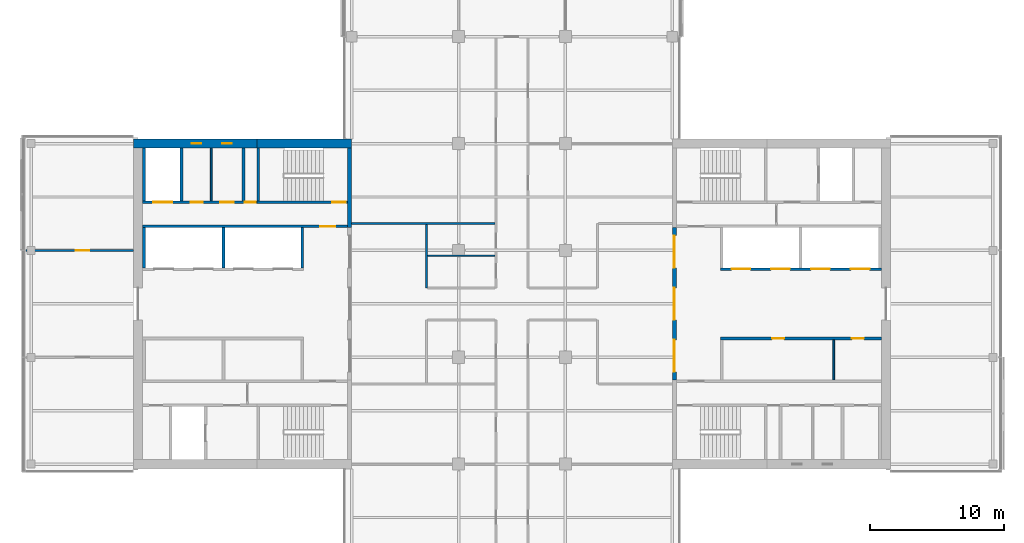
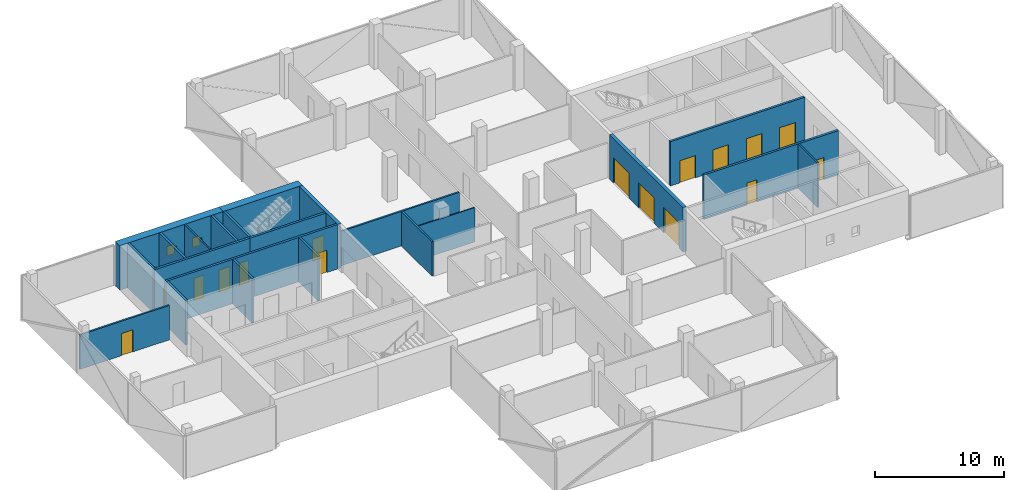
# One storey, part 15 of 22: 22 walls, 16 doors, 2 windows, 18 openings.
"""IFC4 building model written with IfcOpenShell, lengths in metres."""

from ifc_helpers import new_model, si_unit, direction, frame, frame_2d, origin, place, context, subcontext, project, spatial, rectangle, extrude, material, layer, layer_set, constituent, constituent_set, type_object, element, fill, save


model = new_model("IFC4")

# Units and contexts
model_context = context("Model", 3, precision=1e-05, world=origin(), true_north=direction((0.0, 1.0)))
body_context = subcontext(model_context, "Body", "Model", "MODEL_VIEW")
ifc_project = project(units=[si_unit("LENGTHUNIT", "METRE"), si_unit("AREAUNIT", "SQUARE_METRE"), si_unit("VOLUMEUNIT", "CUBIC_METRE"), si_unit("PLANEANGLEUNIT", "RADIAN"), si_unit("MASSUNIT", "GRAM", prefix="KILO")], contexts=[model_context])

# Site, building, storey
site_placement = place(None, origin())
site = spatial("IfcSite", under=ifc_project, at=site_placement, CompositionType="ELEMENT")
building_placement = place(site_placement, origin())
building = spatial("IfcBuilding", under=site, at=building_placement, Name="Crosswind Convention Tower", CompositionType="ELEMENT")
storey_placement = place(building_placement, frame((0.0, 0.0, 167.300048828125)))
storey = spatial("IfcBuildingStorey", under=building, at=storey_placement, Name="L35", CompositionType="ELEMENT", Elevation=167.300048828125)

# Wall
ifc_material_1 = material(Name="Concrete blockwork", Category="masonry")
ifc_layer_1 = layer(ifc_material_1, 0.199951171875)
ifc_layer_set_1 = layer_set([ifc_layer_1], Name="Blockwork partition wall 200")
wall_type_1 = type_object("IfcWallType", Name="Blockwork partition wall 200", PredefinedType="PARTITIONING", material=ifc_layer_set_1)
wall_1_placement = place(storey_placement, frame((104.89990234375, 111.64990234375, 0.0), z_axis=(0.0, 0.0, 1.0), x_axis=(0.0, -1.0, 0.0)))
element("IfcWall", 1, at=wall_1_placement, inside=storey, type_object=wall_type_1, Name="Wall MRSE W L35", PredefinedType="PARTITIONING", context=body_context, shape_type="SweptSolid", body=[
    extrude(rectangle(XDim=3.949951171875, YDim=0.199951171875, at=frame_2d((1.97509765625, 0.0))), origin(), (0.0, 0.0, 1.0), 4.199951171875),
])

# Wall, openings, doors
ifc_material_2 = material(Name="Concrete C50/60", Category="concrete")
ifc_layer_2 = layer(ifc_material_2, 0.300048828125)
ifc_layer_set_2 = layer_set([ifc_layer_2], Name="Concrete C50/60")
wall_type_2 = type_object("IfcWallType", Name="Concrete inner core wall 300", PredefinedType="SHEAR", material=ifc_layer_set_2)
wall_2_placement = place(storey_placement, frame((137.14990234375, 94.300048828125, 0.0), z_axis=(0.0, 0.0, 1.0), x_axis=(0.0, 1.0, 0.0)))
wall_2 = element("IfcWall", 2, at=wall_2_placement, inside=storey, type_object=wall_type_2, Name="Wall SCR E L35", PredefinedType="SHEAR", context=body_context, shape_type="SweptSolid", body=[
    extrude(rectangle(XDim=11.39990234375, YDim=0.300048828125, at=frame_2d((5.699951171875, 0.0))), origin(), (0.0, 0.0, 1.0), 4.199951171875),
])
opening_1_placement = place(wall_2_placement, frame((0.60009765625, 0.0, 0.0)))
opening_1 = element("IfcOpeningElement", 3, at=opening_1_placement, cuts=wall_2, Name="Opening D100", PredefinedType="OPENING", context=body_context, shape_type="SweptSolid", body=[
    extrude(rectangle(XDim=2.39990234375, YDim=2.39990234375, at=frame_2d((1.199951171875, 1.199951171875))), frame((0.0, 0.159912109375, 0.0), z_axis=(0.0, -1.0, 0.0), x_axis=(1.0, 0.0, 0.0)), (0.0, 0.0, 1.0), 0.320068359375),
])
opening_2_placement = place(wall_2_placement, frame((4.5, 0.0, 0.0)))
opening_2 = element("IfcOpeningElement", 4, at=opening_2_placement, cuts=wall_2, Name="Opening D100", PredefinedType="OPENING", context=body_context, shape_type="SweptSolid", body=[
    extrude(rectangle(XDim=2.39990234375, YDim=2.39990234375, at=frame_2d((1.199951171875, 1.199951171875))), frame((0.0, 0.159912109375, 0.0), z_axis=(0.0, -1.0, 0.0), x_axis=(1.0, 0.0, 0.0)), (0.0, 0.0, 1.0), 0.320068359375),
])
opening_3_placement = place(wall_2_placement, frame((8.39990234375, 0.0, 0.0)))
opening_3 = element("IfcOpeningElement", 5, at=opening_3_placement, cuts=wall_2, Name="Opening D100", PredefinedType="OPENING", context=body_context, shape_type="SweptSolid", body=[
    extrude(rectangle(XDim=2.39990234375, YDim=2.39990234375, at=frame_2d((1.199951171875, 1.199951171875))), frame((0.0, 0.159912109375, 0.0), z_axis=(0.0, -1.0, 0.0), x_axis=(1.0, 0.0, 0.0)), (0.0, 0.0, 1.0), 0.320068359375),
])
ifc_material_3 = material(Name="Steel fire door with glazed vision panels", Category="steel")
door_type_1 = type_object("IfcDoorType", Name="Fire-rated double door 2400x2400", OperationType="DOUBLE_DOOR_SINGLE_SWING", PredefinedType="DOOR", material=ifc_material_3)
door_1_placement = place(opening_1_placement, origin())
door_1 = element("IfcDoor", 6, at=door_1_placement, inside=storey, type_object=door_type_1, Name="Lobby door 1 L35", ObjectType="D100", OperationType="DOUBLE_DOOR_SINGLE_SWING", OverallHeight=2.39990234375, OverallWidth=2.39990234375, PredefinedType="DOOR", context=body_context, shape_type="SweptSolid", body=[
    extrude(rectangle(XDim=2.39990234375, YDim=2.39990234375, at=frame_2d((1.199951171875, 1.199951171875))), frame((0.0, 0.02490234375, 0.0), z_axis=(0.0, -1.0, 0.0), x_axis=(1.0, 0.0, 0.0)), (0.0, 0.0, 1.0), 0.050048828125),
])
fill(opening_1, door_1)
door_2_placement = place(opening_2_placement, origin())
door_2 = element("IfcDoor", 7, at=door_2_placement, inside=storey, type_object=door_type_1, Name="Lobby door 2 L35", ObjectType="D100", OperationType="DOUBLE_DOOR_SINGLE_SWING", OverallHeight=2.39990234375, OverallWidth=2.39990234375, PredefinedType="DOOR", context=body_context, shape_type="SweptSolid", body=[
    extrude(rectangle(XDim=2.39990234375, YDim=2.39990234375, at=frame_2d((1.199951171875, 1.199951171875))), frame((0.0, 0.02490234375, 0.0), z_axis=(0.0, -1.0, 0.0), x_axis=(1.0, 0.0, 0.0)), (0.0, 0.0, 1.0), 0.050048828125),
])
fill(opening_2, door_2)
door_3_placement = place(opening_3_placement, origin())
door_3 = element("IfcDoor", 8, at=door_3_placement, inside=storey, type_object=door_type_1, Name="Lobby door 3 L35", ObjectType="D100", OperationType="DOUBLE_DOOR_SINGLE_SWING", OverallHeight=2.39990234375, OverallWidth=2.39990234375, PredefinedType="DOOR", context=body_context, shape_type="SweptSolid", body=[
    extrude(rectangle(XDim=2.39990234375, YDim=2.39990234375, at=frame_2d((1.199951171875, 1.199951171875))), frame((0.0, 0.02490234375, 0.0), z_axis=(0.0, -1.0, 0.0), x_axis=(1.0, 0.0, 0.0)), (0.0, 0.0, 1.0), 0.050048828125),
])
fill(opening_3, door_3)

# Wall
wall_3_placement = place(storey_placement, frame((112.85009765625, 111.64990234375, 0.0), z_axis=(0.0, 0.0, 1.0), x_axis=(0.0, -1.0, 0.0)))
element("IfcWall", 9, at=wall_3_placement, inside=storey, type_object=wall_type_2, Name="Wall EM W L35", PredefinedType="SHEAR", context=body_context, shape_type="SweptSolid", body=[
    extrude(rectangle(XDim=5.949951171875, YDim=0.300048828125, at=frame_2d((2.97509765625, 0.0))), origin(), (0.0, 0.0, 1.0), 4.199951171875),
])

# Wall, openings, doors
ifc_layer_3 = layer(ifc_material_2, 0.199951171875)
ifc_layer_set_3 = layer_set([ifc_layer_3], Name="Concrete C50/60")
wall_type_3 = type_object("IfcWallType", Name="Concrete shaft and stair wall 200", PredefinedType="SHEAR", material=ifc_layer_set_3)
wall_4_placement = place(storey_placement, frame((140.60009765625, 102.60009765625, 0.0), z_axis=(0.0, 0.0, 1.0), x_axis=(1.0, 0.0, 0.0)))
wall_4 = element("IfcWall", 10, at=wall_4_placement, inside=storey, type_object=wall_type_3, Name="Wall RPFRONT E L35", PredefinedType="SHEAR", context=body_context, shape_type="SweptSolid", body=[
    extrude(rectangle(XDim=12.0498046875, YDim=0.199951171875, at=frame_2d((6.02490234375, 0.0))), origin(), (0.0, 0.0, 1.0), 4.199951171875),
])
opening_4_placement = place(wall_4_placement, frame((0.85009765625, 0.0, 0.0)))
opening_4 = element("IfcOpeningElement", 11, at=opening_4_placement, cuts=wall_4, Name="Opening LD2", PredefinedType="OPENING", context=body_context, shape_type="SweptSolid", body=[
    extrude(rectangle(XDim=1.39990234375, YDim=2.10009765625, at=frame_2d((0.699951171875, 1.050048828125))), frame((0.0, 0.10986328125, 0.0), z_axis=(0.0, -1.0, 0.0), x_axis=(1.0, 0.0, 0.0)), (0.0, 0.0, 1.0), 0.219970703125),
])
opening_5_placement = place(wall_4_placement, frame((3.800048828125, 0.0, 0.0)))
opening_5 = element("IfcOpeningElement", 12, at=opening_5_placement, cuts=wall_4, Name="Opening LD2", PredefinedType="OPENING", context=body_context, shape_type="SweptSolid", body=[
    extrude(rectangle(XDim=1.39990234375, YDim=2.10009765625, at=frame_2d((0.699951171875, 1.050048828125))), frame((0.0, 0.10986328125, 0.0), z_axis=(0.0, -1.0, 0.0), x_axis=(1.0, 0.0, 0.0)), (0.0, 0.0, 1.0), 0.219970703125),
])
opening_6_placement = place(wall_4_placement, frame((6.800048828125, 0.0, 0.0)))
opening_6 = element("IfcOpeningElement", 13, at=opening_6_placement, cuts=wall_4, Name="Opening LD2", PredefinedType="OPENING", context=body_context, shape_type="SweptSolid", body=[
    extrude(rectangle(XDim=1.39990234375, YDim=2.10009765625, at=frame_2d((0.699951171875, 1.050048828125))), frame((0.0, 0.10986328125, 0.0), z_axis=(0.0, -1.0, 0.0), x_axis=(1.0, 0.0, 0.0)), (0.0, 0.0, 1.0), 0.219970703125),
])
opening_7_placement = place(wall_4_placement, frame((9.77490234375, 0.0, 0.0)))
opening_7 = element("IfcOpeningElement", 14, at=opening_7_placement, cuts=wall_4, Name="Opening LD2", PredefinedType="OPENING", context=body_context, shape_type="SweptSolid", body=[
    extrude(rectangle(XDim=1.39990234375, YDim=2.10009765625, at=frame_2d((0.699951171875, 1.050048828125))), frame((0.0, 0.10986328125, 0.0), z_axis=(0.0, -1.0, 0.0), x_axis=(1.0, 0.0, 0.0)), (0.0, 0.0, 1.0), 0.219970703125),
])
ifc_material_4 = material(Name="Stainless steel", Category="steel")
door_type_2 = type_object("IfcDoorType", Name="Lift landing door 1400x2100", OperationType="DOUBLE_DOOR_SLIDING", PredefinedType="DOOR", material=ifc_material_4)
door_4_placement = place(opening_4_placement, origin())
door_4 = element("IfcDoor", 15, at=door_4_placement, inside=storey, type_object=door_type_2, Name="Landing door A1 L35", ObjectType="LD2", OperationType="DOUBLE_DOOR_SLIDING", OverallHeight=2.10009765625, OverallWidth=1.39990234375, PredefinedType="DOOR", context=body_context, shape_type="SweptSolid", body=[
    extrude(rectangle(XDim=1.39990234375, YDim=2.10009765625, at=frame_2d((0.699951171875, 1.050048828125))), frame((0.0, 0.02490234375, 0.0), z_axis=(0.0, -1.0, 0.0), x_axis=(1.0, 0.0, 0.0)), (0.0, 0.0, 1.0), 0.050048828125),
])
fill(opening_4, door_4)
door_5_placement = place(opening_5_placement, origin())
door_5 = element("IfcDoor", 16, at=door_5_placement, inside=storey, type_object=door_type_2, Name="Landing door A2 L35", ObjectType="LD2", OperationType="DOUBLE_DOOR_SLIDING", OverallHeight=2.10009765625, OverallWidth=1.39990234375, PredefinedType="DOOR", context=body_context, shape_type="SweptSolid", body=[
    extrude(rectangle(XDim=1.39990234375, YDim=2.10009765625, at=frame_2d((0.699951171875, 1.050048828125))), frame((0.0, 0.02490234375, 0.0), z_axis=(0.0, -1.0, 0.0), x_axis=(1.0, 0.0, 0.0)), (0.0, 0.0, 1.0), 0.050048828125),
])
fill(opening_5, door_5)
door_6_placement = place(opening_6_placement, origin())
door_6 = element("IfcDoor", 17, at=door_6_placement, inside=storey, type_object=door_type_2, Name="Landing door A3 L35", ObjectType="LD2", OperationType="DOUBLE_DOOR_SLIDING", OverallHeight=2.10009765625, OverallWidth=1.39990234375, PredefinedType="DOOR", context=body_context, shape_type="SweptSolid", body=[
    extrude(rectangle(XDim=1.39990234375, YDim=2.10009765625, at=frame_2d((0.699951171875, 1.050048828125))), frame((0.0, 0.02490234375, 0.0), z_axis=(0.0, -1.0, 0.0), x_axis=(1.0, 0.0, 0.0)), (0.0, 0.0, 1.0), 0.050048828125),
])
fill(opening_6, door_6)
door_7_placement = place(opening_7_placement, origin())
door_7 = element("IfcDoor", 18, at=door_7_placement, inside=storey, type_object=door_type_2, Name="Landing door A4 L35", ObjectType="LD2", OperationType="DOUBLE_DOOR_SLIDING", OverallHeight=2.10009765625, OverallWidth=1.39990234375, PredefinedType="DOOR", context=body_context, shape_type="SweptSolid", body=[
    extrude(rectangle(XDim=1.39990234375, YDim=2.10009765625, at=frame_2d((0.699951171875, 1.050048828125))), frame((0.0, 0.02490234375, 0.0), z_axis=(0.0, -1.0, 0.0), x_axis=(1.0, 0.0, 0.0)), (0.0, 0.0, 1.0), 0.050048828125),
])
fill(opening_7, door_7)

wall_5_placement = place(storey_placement, frame((140.60009765625, 97.39990234375, 0.0), z_axis=(0.0, 0.0, 1.0), x_axis=(1.0, 0.0, 0.0)))
wall_5 = element("IfcWall", 19, at=wall_5_placement, inside=storey, type_object=wall_type_3, Name="Wall RMFRONT E L35", PredefinedType="SHEAR", context=body_context, shape_type="SweptSolid", body=[
    extrude(rectangle(XDim=12.0498046875, YDim=0.199951171875, at=frame_2d((6.02490234375, 0.0))), origin(), (0.0, 0.0, 1.0), 4.199951171875),
])
opening_8_placement = place(wall_5_placement, frame((3.8662109375, 0.0, 0.0)))
opening_8 = element("IfcOpeningElement", 20, at=opening_8_placement, cuts=wall_5, Name="Opening D106", PredefinedType="OPENING", context=body_context, shape_type="SweptSolid", body=[
    extrude(rectangle(XDim=0.89990234375, YDim=2.10009765625, at=frame_2d((0.449951171875, 1.050048828125))), frame((0.0, 0.10986328125, 0.0), z_axis=(0.0, -1.0, 0.0), x_axis=(1.0, 0.0, 0.0)), (0.0, 0.0, 1.0), 0.219970703125),
])
opening_9_placement = place(wall_5_placement, frame((9.853759765625, 0.0, 0.0)))
opening_9 = element("IfcOpeningElement", 21, at=opening_9_placement, cuts=wall_5, Name="Opening D106", PredefinedType="OPENING", context=body_context, shape_type="SweptSolid", body=[
    extrude(rectangle(XDim=0.89990234375, YDim=2.10009765625, at=frame_2d((0.449951171875, 1.050048828125))), frame((0.0, 0.10986328125, 0.0), z_axis=(0.0, -1.0, 0.0), x_axis=(1.0, 0.0, 0.0)), (0.0, 0.0, 1.0), 0.219970703125),
])
ifc_material_5 = material(Name="Timber door", Category="wood")
door_type_3 = type_object("IfcDoorType", Name="Single leaf door 900x2100", OperationType="NOTDEFINED", PredefinedType="DOOR", material=ifc_material_5)
door_8_placement = place(opening_8_placement, frame((0.89990234375, 0.0, 0.0), z_axis=(0.0, 0.0, 1.0), x_axis=(-1.0, 0.0, 0.0)))
door_8 = element("IfcDoor", 22, at=door_8_placement, inside=storey, type_object=door_type_3, Name="Door to pantry L35", ObjectType="D106", OperationType="SINGLE_SWING_LEFT", OverallHeight=2.10009765625, OverallWidth=0.89990234375, PredefinedType="DOOR", context=body_context, shape_type="SweptSolid", body=[
    extrude(rectangle(XDim=0.89990234375, YDim=2.10009765625, at=frame_2d((0.449951171875, 1.050048828125))), frame((0.0, 0.02490234375, 0.0), z_axis=(0.0, -1.0, 0.0), x_axis=(1.0, 0.0, 0.0)), (0.0, 0.0, 1.0), 0.050048828125),
])
fill(opening_8, door_8)
door_9_placement = place(opening_9_placement, frame((0.89990234375, 0.0, 0.0), z_axis=(0.0, 0.0, 1.0), x_axis=(-1.0, 0.0, 0.0)))
door_9 = element("IfcDoor", 23, at=door_9_placement, inside=storey, type_object=door_type_3, Name="Door to telecoms room L35", ObjectType="D106", OperationType="SINGLE_SWING_LEFT", OverallHeight=2.10009765625, OverallWidth=0.89990234375, PredefinedType="DOOR", context=body_context, shape_type="SweptSolid", body=[
    extrude(rectangle(XDim=0.89990234375, YDim=2.10009765625, at=frame_2d((0.449951171875, 1.050048828125))), frame((0.0, 0.02490234375, 0.0), z_axis=(0.0, -1.0, 0.0), x_axis=(1.0, 0.0, 0.0)), (0.0, 0.0, 1.0), 0.050048828125),
])
fill(opening_9, door_9)

# Walls
for number, where, z_axis, x_axis, name in (
    (24, (109.300048828125, 105.699951171875, 0.0), (0.0, 0.0, 1.0), (0.0, -1.0, 0.0), "Wall RMEND W L35"),
    (25, (103.39990234375, 105.699951171875, 0.0), (0.0, 0.0, 1.0), (0.0, -1.0, 0.0), "Wall RMSEP W L35"),
    (26, (97.449951171875, 105.699951171875, 0.0), (0.0, 0.0, 1.0), (0.0, -1.0, 0.0), "Wall RMEAST W L35"),
):
    element("IfcWall", number, at=place(storey_placement, frame(where, z_axis=z_axis, x_axis=x_axis)), inside=storey, type_object=wall_type_3, Name=name, PredefinedType="SHEAR", context=body_context, shape_type="SweptSolid", body=[
        extrude(rectangle(XDim=3.0, YDim=0.199951171875, at=frame_2d((1.5, 0.0))), origin(), (0.0, 0.0, 1.0), 4.199951171875),
    ])

# Wall, opening, door
wall_6_placement = place(storey_placement, frame((112.699951171875, 105.800048828125, 0.0), z_axis=(0.0, 0.0, 1.0), x_axis=(-1.0, 0.0, 0.0)))
wall_6 = element("IfcWall", 27, at=wall_6_placement, inside=storey, type_object=wall_type_3, Name="Wall HM W L35", PredefinedType="SHEAR", context=body_context, shape_type="SweptSolid", body=[
    extrude(rectangle(XDim=15.349853515625, YDim=0.199951171875, at=frame_2d((7.6748046875, 0.0))), origin(), (0.0, 0.0, 1.0), 4.199951171875),
])
opening_10_placement = place(wall_6_placement, frame((0.949951171875, 0.0, 0.0)))
opening_10 = element("IfcOpeningElement", 28, at=opening_10_placement, cuts=wall_6, Name="Opening D104", PredefinedType="OPENING", context=body_context, shape_type="SweptSolid", body=[
    extrude(rectangle(XDim=1.10009765625, YDim=2.10009765625, at=frame_2d((0.550048828125, 1.050048828125))), frame((0.0, 0.10986328125, 0.0), z_axis=(0.0, -1.0, 0.0), x_axis=(1.0, 0.0, 0.0)), (0.0, 0.0, 1.0), 0.219970703125),
])
ifc_material_6 = material(Name="Steel fire door", Category="steel")
door_type_4 = type_object("IfcDoorType", Name="Fire-rated single door 1100x2100", OperationType="NOTDEFINED", PredefinedType="DOOR", material=ifc_material_6)
door_10_placement = place(opening_10_placement, origin())
door_10 = element("IfcDoor", 29, at=door_10_placement, inside=storey, type_object=door_type_4, Name="Corridor door L35", ObjectType="D104", OperationType="SINGLE_SWING_LEFT", OverallHeight=2.10009765625, OverallWidth=1.10009765625, PredefinedType="DOOR", context=body_context, shape_type="SweptSolid", body=[
    extrude(rectangle(XDim=1.10009765625, YDim=2.10009765625, at=frame_2d((0.550048828125, 1.050048828125))), frame((0.0, 0.02490234375, 0.0), z_axis=(0.0, -1.0, 0.0), x_axis=(1.0, 0.0, 0.0)), (0.0, 0.0, 1.0), 0.050048828125),
])
fill(opening_10, door_10)

# Walls
for number, where, z_axis, x_axis, name in (
    (30, (106.0, 111.64990234375, 0.0), (0.0, 0.0, 1.0), (0.0, -1.0, 0.0), "Wall MSE W L35"),
    (31, (100.25, 111.64990234375, 0.0), (0.0, 0.0, 1.0), (0.0, -1.0, 0.0), "Wall MFSW W L35"),
    (32, (97.449951171875, 111.64990234375, 0.0), (0.0, 0.0, 1.0), (0.0, -1.0, 0.0), "Wall MFSE W L35"),
):
    element("IfcWall", number, at=place(storey_placement, frame(where, z_axis=z_axis, x_axis=x_axis)), inside=storey, type_object=wall_type_3, Name=name, PredefinedType="SHEAR", context=body_context, shape_type="SweptSolid", body=[
        extrude(rectangle(XDim=3.949951171875, YDim=0.199951171875, at=frame_2d((1.97509765625, 0.0))), origin(), (0.0, 0.0, 1.0), 4.199951171875),
    ])

# Wall, opening, door
wall_7_placement = place(storey_placement, frame((112.699951171875, 107.60009765625, 0.0), z_axis=(0.0, 0.0, 1.0), x_axis=(-1.0, 0.0, 0.0)))
wall_7 = element("IfcWall", 33, at=wall_7_placement, inside=storey, type_object=wall_type_3, Name="Wall MCW W L35", PredefinedType="SHEAR", context=body_context, shape_type="SweptSolid", body=[
    extrude(rectangle(XDim=6.800048828125, YDim=0.199951171875, at=frame_2d((3.39990234375, 0.0))), origin(), (0.0, 0.0, 1.0), 4.199951171875),
])
opening_11_placement = place(wall_7_placement, frame((0.14990234375, 0.0, 0.0)))
opening_11 = element("IfcOpeningElement", 34, at=opening_11_placement, cuts=wall_7, Name="Opening D103", PredefinedType="OPENING", context=body_context, shape_type="SweptSolid", body=[
    extrude(rectangle(XDim=1.0, YDim=2.10009765625, at=frame_2d((0.5, 1.050048828125))), frame((0.0, 0.10986328125, 0.0), z_axis=(0.0, -1.0, 0.0), x_axis=(1.0, 0.0, 0.0)), (0.0, 0.0, 1.0), 0.219970703125),
])
door_type_5 = type_object("IfcDoorType", Name="Fire-rated single door 1000x2100", OperationType="NOTDEFINED", PredefinedType="DOOR", material=ifc_material_6)
door_11_placement = place(opening_11_placement, frame((1.0, 0.0, 0.0), z_axis=(0.0, 0.0, 1.0), x_axis=(-1.0, 0.0, 0.0)))
door_11 = element("IfcDoor", 35, at=door_11_placement, inside=storey, type_object=door_type_5, Name="Stair ST4 door L35", ObjectType="D103", OperationType="SINGLE_SWING_RIGHT", OverallHeight=2.10009765625, OverallWidth=1.0, PredefinedType="DOOR", context=body_context, shape_type="SweptSolid", body=[
    extrude(rectangle(XDim=1.0, YDim=2.10009765625, at=frame_2d((0.5, 1.050048828125))), frame((0.0, 0.02490234375, 0.0), z_axis=(0.0, -1.0, 0.0), x_axis=(1.0, 0.0, 0.0)), (0.0, 0.0, 1.0), 0.050048828125),
])
fill(opening_11, door_11)

# Wall, openings, doors
wall_8_placement = place(storey_placement, frame((105.89990234375, 107.60009765625, 0.0), z_axis=(0.0, 0.0, 1.0), x_axis=(-1.0, 0.0, 0.0)))
wall_8 = element("IfcWall", 36, at=wall_8_placement, inside=storey, type_object=wall_type_3, Name="Wall MCX W L35", PredefinedType="SHEAR", context=body_context, shape_type="SweptSolid", body=[
    extrude(rectangle(XDim=8.5498046875, YDim=0.199951171875, at=frame_2d((4.27490234375, 0.0))), origin(), (0.0, 0.0, 1.0), 4.199951171875),
])
opening_12_placement = place(wall_8_placement, frame((0.10009765625, 0.0, 0.0)))
opening_12 = element("IfcOpeningElement", 37, at=opening_12_placement, cuts=wall_8, Name="Opening D105", PredefinedType="OPENING", context=body_context, shape_type="SweptSolid", body=[
    extrude(rectangle(XDim=0.800048828125, YDim=2.10009765625, at=frame_2d((0.39990234375, 1.050048828125))), frame((0.0, 0.10986328125, 0.0), z_axis=(0.0, -1.0, 0.0), x_axis=(1.0, 0.0, 0.0)), (0.0, 0.0, 1.0), 0.219970703125),
])
opening_13_placement = place(wall_8_placement, frame((1.725830078125, 0.0, 0.0)))
opening_13 = element("IfcOpeningElement", 38, at=opening_13_placement, cuts=wall_8, Name="Opening D103", PredefinedType="OPENING", context=body_context, shape_type="SweptSolid", body=[
    extrude(rectangle(XDim=1.0, YDim=2.10009765625, at=frame_2d((0.5, 1.050048828125))), frame((0.0, 0.10986328125, 0.0), z_axis=(0.0, -1.0, 0.0), x_axis=(1.0, 0.0, 0.0)), (0.0, 0.0, 1.0), 0.219970703125),
])
opening_14_placement = place(wall_8_placement, frame((4.063232421875, 0.0, 0.0)))
opening_14 = element("IfcOpeningElement", 39, at=opening_14_placement, cuts=wall_8, Name="Opening D106", PredefinedType="OPENING", context=body_context, shape_type="SweptSolid", body=[
    extrude(rectangle(XDim=0.89990234375, YDim=2.10009765625, at=frame_2d((0.449951171875, 1.050048828125))), frame((0.0, 0.10986328125, 0.0), z_axis=(0.0, -1.0, 0.0), x_axis=(1.0, 0.0, 0.0)), (0.0, 0.0, 1.0), 0.219970703125),
])
opening_15_placement = place(wall_8_placement, frame((6.35009765625, 0.0, 0.0)))
opening_15 = element("IfcOpeningElement", 40, at=opening_15_placement, cuts=wall_8, Name="Opening LD2", PredefinedType="OPENING", context=body_context, shape_type="SweptSolid", body=[
    extrude(rectangle(XDim=1.39990234375, YDim=2.10009765625, at=frame_2d((0.699951171875, 1.050048828125))), frame((0.0, 0.10986328125, 0.0), z_axis=(0.0, -1.0, 0.0), x_axis=(1.0, 0.0, 0.0)), (0.0, 0.0, 1.0), 0.219970703125),
])
door_12_placement = place(opening_13_placement, frame((1.0, 0.0, 0.0), z_axis=(0.0, 0.0, 1.0), x_axis=(-1.0, 0.0, 0.0)))
door_12 = element("IfcDoor", 41, at=door_12_placement, inside=storey, type_object=door_type_5, Name="Door to accessible wc L35", ObjectType="D103", OperationType="SINGLE_SWING_LEFT", OverallHeight=2.10009765625, OverallWidth=1.0, PredefinedType="DOOR", context=body_context, shape_type="SweptSolid", body=[
    extrude(rectangle(XDim=1.0, YDim=2.10009765625, at=frame_2d((0.5, 1.050048828125))), frame((0.0, 0.02490234375, 0.0), z_axis=(0.0, -1.0, 0.0), x_axis=(1.0, 0.0, 0.0)), (0.0, 0.0, 1.0), 0.050048828125),
])
fill(opening_13, door_12)
door_13_placement = place(opening_15_placement, origin())
door_13 = element("IfcDoor", 42, at=door_13_placement, inside=storey, type_object=door_type_2, Name="Landing door SV2 L35", ObjectType="LD2", OperationType="DOUBLE_DOOR_SLIDING", OverallHeight=2.10009765625, OverallWidth=1.39990234375, PredefinedType="DOOR", context=body_context, shape_type="SweptSolid", body=[
    extrude(rectangle(XDim=1.39990234375, YDim=2.10009765625, at=frame_2d((0.699951171875, 1.050048828125))), frame((0.0, 0.02490234375, 0.0), z_axis=(0.0, -1.0, 0.0), x_axis=(1.0, 0.0, 0.0)), (0.0, 0.0, 1.0), 0.050048828125),
])
fill(opening_15, door_13)
door_type_6 = type_object("IfcDoorType", Name="Riser access door 800x2100", OperationType="NOTDEFINED", PredefinedType="DOOR", material=ifc_material_6)
door_14_placement = place(opening_12_placement, frame((0.800048828125, 0.0, 0.0), z_axis=(0.0, 0.0, 1.0), x_axis=(-1.0, 0.0, 0.0)))
door_14 = element("IfcDoor", 43, at=door_14_placement, inside=storey, type_object=door_type_6, Name="Riser door L35", ObjectType="D105", OperationType="SINGLE_SWING_LEFT", OverallHeight=2.10009765625, OverallWidth=0.800048828125, PredefinedType="DOOR", context=body_context, shape_type="SweptSolid", body=[
    extrude(rectangle(XDim=0.800048828125, YDim=2.10009765625, at=frame_2d((0.39990234375, 1.050048828125))), frame((0.0, 0.02490234375, 0.0), z_axis=(0.0, -1.0, 0.0), x_axis=(1.0, 0.0, 0.0)), (0.0, 0.0, 1.0), 0.050048828125),
])
fill(opening_12, door_14)
door_15_placement = place(opening_14_placement, frame((0.89990234375, 0.0, 0.0), z_axis=(0.0, 0.0, 1.0), x_axis=(-1.0, 0.0, 0.0)))
door_15 = element("IfcDoor", 44, at=door_15_placement, inside=storey, type_object=door_type_3, Name="Door to wc L35", ObjectType="D106", OperationType="SINGLE_SWING_LEFT", OverallHeight=2.10009765625, OverallWidth=0.89990234375, PredefinedType="DOOR", context=body_context, shape_type="SweptSolid", body=[
    extrude(rectangle(XDim=0.89990234375, YDim=2.10009765625, at=frame_2d((0.449951171875, 1.050048828125))), frame((0.0, 0.02490234375, 0.0), z_axis=(0.0, -1.0, 0.0), x_axis=(1.0, 0.0, 0.0)), (0.0, 0.0, 1.0), 0.050048828125),
])
fill(opening_14, door_15)

# Walls
ifc_material_7 = material(Name="Gypsum plasterboard partition", Category="gypsum")
ifc_layer_4 = layer(ifc_material_7, 0.125)
ifc_layer_set_4 = layer_set([ifc_layer_4], Name="Drywall partition wall 125")
wall_type_4 = type_object("IfcWallType", Name="Drywall partition wall 125", PredefinedType="PARTITIONING", material=ifc_layer_set_4)
wall_9_placement = place(storey_placement, frame((149.094970703125, 94.300048828125, 0.0), z_axis=(0.0, 0.0, 1.0), x_axis=(0.0, 1.0, 0.0)))
element("IfcWall", 45, at=wall_9_placement, inside=storey, type_object=wall_type_4, Name="Wall RMP1 E L35", PredefinedType="PARTITIONING", context=body_context, shape_type="SweptSolid", body=[
    extrude(rectangle(XDim=3.0, YDim=0.125, at=frame_2d((1.5, 0.0))), origin(), (0.0, 0.0, 1.0), 4.199951171875),
])
wall_10_placement = place(storey_placement, frame((102.486083984375, 111.64990234375, 0.0), z_axis=(0.0, 0.0, 1.0), x_axis=(0.0, -1.0, 0.0)))
element("IfcWall", 46, at=wall_10_placement, inside=storey, type_object=wall_type_4, Name="Wall MWP1 W L35", PredefinedType="PARTITIONING", context=body_context, shape_type="SweptSolid", body=[
    extrude(rectangle(XDim=3.949951171875, YDim=0.125, at=frame_2d((1.97509765625, 0.0))), origin(), (0.0, 0.0, 1.0), 4.199951171875),
])
ifc_material_8 = material(Name="Plasterboard partition", Category="gypsum")
ifc_layer_5 = layer(ifc_material_8, 0.10009765625)
ifc_layer_set_5 = layer_set([ifc_layer_5], Name="PARTITION 100 METAL STUD")
wall_type_5 = type_object("IfcWallType", Name="PARTITION 100 METAL STUD", PredefinedType="PARTITIONING", material=ifc_layer_set_5)
wall_11_placement = place(storey_placement, frame((118.675048828125, 103.60009765625, 0.0), z_axis=(0.0, 0.0, 1.0), x_axis=(1.0, 0.0, 0.0)))
element("IfcWall", 47, at=wall_11_placement, inside=storey, type_object=wall_type_5, Name="Partition wall WT40", PredefinedType="PARTITIONING", context=body_context, shape_type="SweptSolid", body=[
    extrude(rectangle(XDim=5.050048828125, YDim=0.10009765625, at=frame_2d((2.52490234375, 0.0))), origin(), (0.0, 0.0, 1.0), 3.260498046875),
])
ifc_material_9 = material(Name="Fire-board partition with mineral wool", Category="gypsum")
ifc_layer_6 = layer(ifc_material_9, 0.14990234375)
ifc_layer_set_6 = layer_set([ifc_layer_6], Name="TENANCY WALL 150 TWO-HOUR BOARD")
wall_type_6 = type_object("IfcWallType", Name="TENANCY WALL 150 TWO-HOUR BOARD", PredefinedType="PARTITIONING", material=ifc_layer_set_6)
wall_12_placement = place(storey_placement, frame((118.60009765625, 101.199951171875, 0.0), z_axis=(0.0, 0.0, 1.0), x_axis=(0.0, 1.0, 0.0)))
element("IfcWall", 48, at=wall_12_placement, inside=storey, type_object=wall_type_6, Name="Tenancy wall WT41", PredefinedType="PARTITIONING", context=body_context, shape_type="SweptSolid", body=[
    extrude(rectangle(XDim=4.72509765625, YDim=0.14990234375, at=frame_2d((2.362548828125, 0.0))), origin(), (0.0, 0.0, 1.0), 3.260498046875),
])

# Wall, opening, door
wall_13_placement = place(storey_placement, frame((88.6298828125, 104.0, 0.0), z_axis=(0.0, 0.0, 1.0), x_axis=(1.0, 0.0, 0.0)))
wall_13 = element("IfcWall", 49, at=wall_13_placement, inside=storey, type_object=wall_type_6, Name="Tenancy wall WT41", PredefinedType="PARTITIONING", context=body_context, shape_type="SweptSolid", body=[
    extrude(rectangle(XDim=8.02001953125, YDim=0.14990234375, at=frame_2d((4.010009765625, 0.0))), origin(), (0.0, 0.0, 1.0), 3.260498046875),
])
opening_16_placement = place(wall_13_placement, frame((3.719970703125, 0.0, 0.0)))
opening_16 = element("IfcOpeningElement", 50, at=opening_16_placement, cuts=wall_13, Name="Opening L35-66", PredefinedType="OPENING", context=body_context, shape_type="SweptSolid", body=[
    extrude(rectangle(XDim=1.0, YDim=2.10009765625, at=frame_2d((0.5, 1.050048828125))), frame((0.0, 0.0849609375, 0.0), z_axis=(0.0, -1.0, 0.0), x_axis=(1.0, 0.0, 0.0)), (0.0, 0.0, 1.0), 0.169921875),
])
ifc_material_10 = material(Name="Timber fire door", Category="wood")
door_type_7 = type_object("IfcDoorType", Name="TENANCY ENTRANCE DOOR 1000X2100 FD30S", OperationType="NOTDEFINED", PredefinedType="DOOR", material=ifc_material_10)
door_16_placement = place(opening_16_placement, origin())
door_16 = element("IfcDoor", 51, at=door_16_placement, inside=storey, type_object=door_type_7, Name="Door L35-66", ObjectType="D41", OperationType="SINGLE_SWING_LEFT", OverallHeight=2.10009765625, OverallWidth=1.0, PredefinedType="DOOR", context=body_context, shape_type="SweptSolid", body=[
    extrude(rectangle(XDim=1.0, YDim=2.10009765625, at=frame_2d((0.5, 1.050048828125))), frame((0.0, 0.02490234375, 0.0), z_axis=(0.0, -1.0, 0.0), x_axis=(1.0, 0.0, 0.0)), (0.0, 0.0, 1.0), 0.050048828125),
])
fill(opening_16, door_16)

# Walls
wall_14_placement = place(storey_placement, frame((113.0, 106.0, 0.0), z_axis=(0.0, 0.0, 1.0), x_axis=(1.0, 0.0, 0.0)))
element("IfcWall", 52, at=wall_14_placement, inside=storey, type_object=wall_type_6, Name="Tenancy wall WT41", PredefinedType="PARTITIONING", context=body_context, shape_type="SweptSolid", body=[
    extrude(rectangle(XDim=10.72509765625, YDim=0.14990234375, at=frame_2d((5.362548828125, 0.0))), origin(), (0.0, 0.0, 1.0), 3.260498046875),
])
ifc_material_11 = material(Name="Concrete C60/75", Category="concrete")
ifc_constituent_1 = constituent(ifc_material_11, Name="Structure")
ifc_material_12 = material(Name="Terracotta rainscreen", Category="ceramic")
ifc_constituent_2 = constituent(ifc_material_12, Name="Facing")
ifc_constituent_set = constituent_set(constituents=[ifc_constituent_1, ifc_constituent_2], Name="Concrete C60/75, Terracotta rainscreen")
wall_type_7 = type_object("IfcWallType", Name="Terracotta rainscreen on concrete core wall 700", PredefinedType="SHEAR", material=ifc_constituent_set)
wall_15_placement = place(storey_placement, frame((113.0, 112.0, 0.0), z_axis=(0.0, 0.0, 1.0), x_axis=(-1.0, 0.0, 0.0)))
element("IfcWall", 53, at=wall_15_placement, inside=storey, type_object=wall_type_7, Name="Wall S1 W L35", PredefinedType="SHEAR", context=body_context, shape_type="SweptSolid", body=[
    extrude(rectangle(XDim=7.10009765625, YDim=0.699951171875, at=frame_2d((3.550048828125, 0.0))), origin(), (0.0, 0.0, 1.0), 4.199951171875),
])

# Wall, openings, windows
wall_16_placement = place(storey_placement, frame((105.89990234375, 112.0, 0.0), z_axis=(0.0, 0.0, 1.0), x_axis=(-1.0, 0.0, 0.0)))
wall_16 = element("IfcWall", 54, at=wall_16_placement, inside=storey, type_object=wall_type_7, Name="Wall S2 W L35", PredefinedType="SHEAR", context=body_context, shape_type="SweptSolid", body=[
    extrude(rectangle(XDim=9.25, YDim=0.699951171875, at=frame_2d((4.625, 0.0))), origin(), (0.0, 0.0, 1.0), 4.199951171875),
])
opening_17_placement = place(wall_16_placement, frame((1.875732421875, 0.0, 1.5)))
opening_17 = element("IfcOpeningElement", 55, at=opening_17_placement, cuts=wall_16, Name="Opening W2", PredefinedType="OPENING", context=body_context, shape_type="SweptSolid", body=[
    extrude(rectangle(XDim=0.699951171875, YDim=0.89990234375, at=frame_2d((0.35009765625, 0.449951171875))), frame((0.0, 0.35986328125, 0.0), z_axis=(0.0, -1.0, 0.0), x_axis=(1.0, 0.0, 0.0)), (0.0, 0.0, 1.0), 0.719970703125),
])
opening_18_placement = place(wall_16_placement, frame((4.163330078125, 0.0, 1.5)))
opening_18 = element("IfcOpeningElement", 56, at=opening_18_placement, cuts=wall_16, Name="Opening W2", PredefinedType="OPENING", context=body_context, shape_type="SweptSolid", body=[
    extrude(rectangle(XDim=0.699951171875, YDim=0.89990234375, at=frame_2d((0.35009765625, 0.449951171875))), frame((0.0, 0.35986328125, 0.0), z_axis=(0.0, -1.0, 0.0), x_axis=(1.0, 0.0, 0.0)), (0.0, 0.0, 1.0), 0.719970703125),
])
ifc_material_13 = material(Name="Obscure glass in aluminium frame", Category="aluminium")
window_type = type_object("IfcWindowType", Name="WC window 700x900", PartitioningType="SINGLE_PANEL", PredefinedType="WINDOW", material=ifc_material_13)
window_1_placement = place(opening_17_placement, origin())
window_1 = element("IfcWindow", 57, at=window_1_placement, inside=storey, type_object=window_type, Name="WC window L35", ObjectType="W2", OverallHeight=0.89990234375, OverallWidth=0.699951171875, PartitioningType="SINGLE_PANEL", PredefinedType="WINDOW", context=body_context, shape_type="SweptSolid", body=[
    extrude(rectangle(XDim=0.699951171875, YDim=0.89990234375, at=frame_2d((0.35009765625, 0.449951171875))), frame((0.0, 0.030029296875, 0.0), z_axis=(0.0, -1.0, 0.0), x_axis=(1.0, 0.0, 0.0)), (0.0, 0.0, 1.0), 0.06005859375),
])
fill(opening_17, window_1)
window_2_placement = place(opening_18_placement, origin())
window_2 = element("IfcWindow", 58, at=window_2_placement, inside=storey, type_object=window_type, Name="WC window L35", ObjectType="W2", OverallHeight=0.89990234375, OverallWidth=0.699951171875, PartitioningType="SINGLE_PANEL", PredefinedType="WINDOW", context=body_context, shape_type="SweptSolid", body=[
    extrude(rectangle(XDim=0.699951171875, YDim=0.89990234375, at=frame_2d((0.35009765625, 0.449951171875))), frame((0.0, 0.030029296875, 0.0), z_axis=(0.0, -1.0, 0.0), x_axis=(1.0, 0.0, 0.0)), (0.0, 0.0, 1.0), 0.06005859375),
])
fill(opening_18, window_2)

save(model, "model.ifc")
